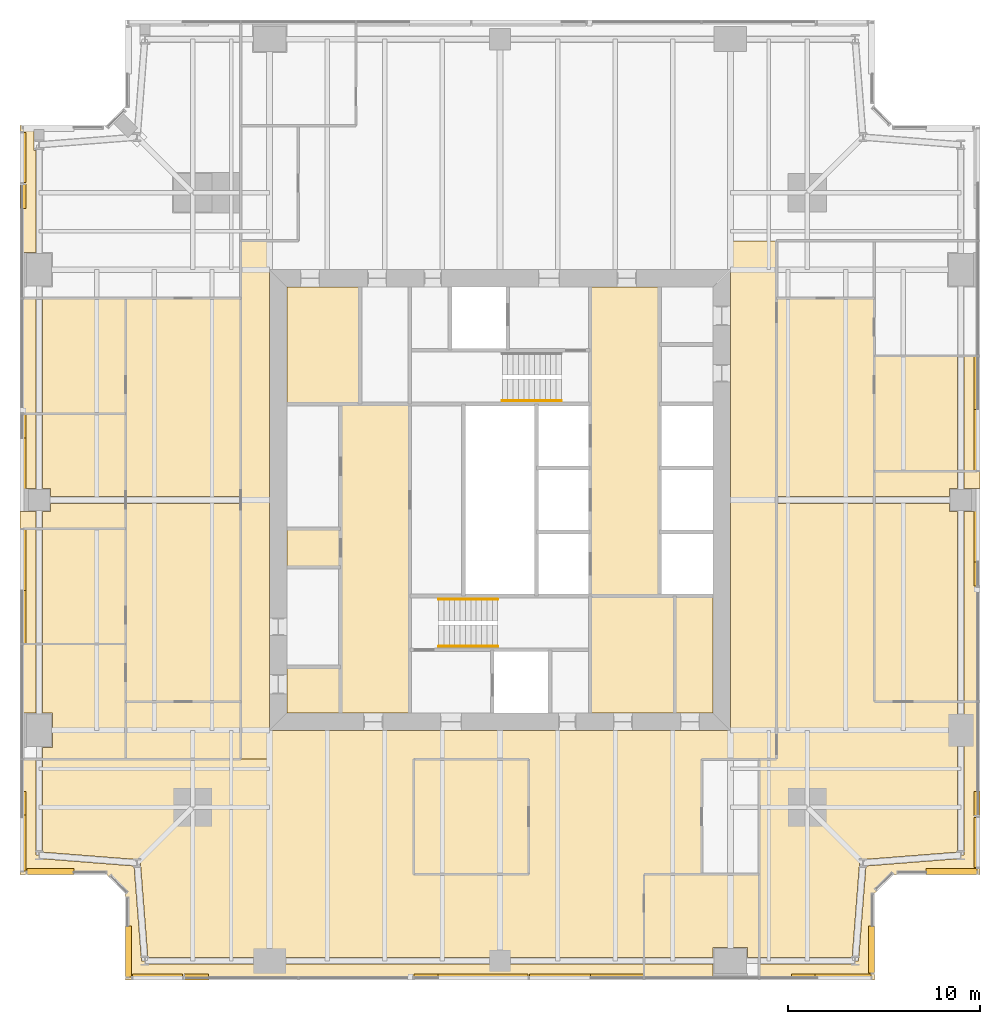
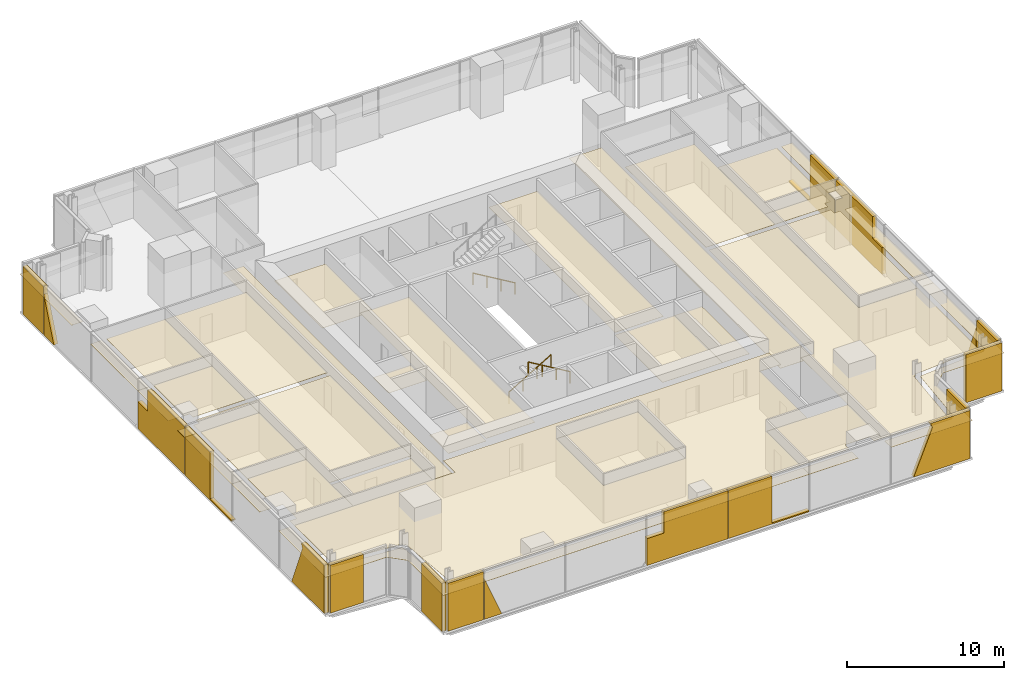
# One storey, part 12 of 16: 55 coverings, 3 railings.
"""IFC4 building model written with IfcOpenShell, lengths in metres."""

import ifcopenshell
import ifcopenshell.guid

model = None  # the IFC model being written
_history = None  # IfcOwnerHistory: only IFC2X3 demands one
_inside = {}  # id of a spatial element -> (the spatial element, [elements in it])
_under = {}  # id of a project, library or spatial element -> (it, [spatial elements below it])
_declared = {}  # id of a project -> (the project, [libraries it declares])
_typed = {}  # id of a type object -> (the type object, [elements of that type])
_made_of = {}  # id of a material, layer set ... -> (it, [elements and type objects made of it])


def new_model(schema):
    """Start an empty IFC model of exactly this schema.

    Asked for "IFC4X3", IfcOpenShell would pick the latest addendum, in which some entities
    have other attributes; the version numbers below select the first issue.
    IFC2X3 requires an IfcOwnerHistory on every rooted entity: one is made here for all.
    """
    global model, _history
    if schema == "IFC4X3":
        model = ifcopenshell.file(schema_version=(4, 3, 0, 0))
    else:
        model = ifcopenshell.file(schema=schema)
    _inside.clear()
    _under.clear()
    _declared.clear()
    _typed.clear()
    _made_of.clear()
    _history = None
    if model.schema == "IFC2X3":
        org = make("IfcOrganization", Name="unknown")
        user = make(
            "IfcPersonAndOrganization",
            ThePerson=make("IfcPerson", FamilyName="unknown"),
            TheOrganization=org,
        )
        app = make(
            "IfcApplication",
            ApplicationDeveloper=org,
            Version="unknown",
            ApplicationFullName="unknown",
            ApplicationIdentifier="unknown",
        )
        _history = make(
            "IfcOwnerHistory",
            OwningUser=user,
            OwningApplication=app,
            ChangeAction="ADDED",
            CreationDate=0,
        )
    return model


def make(cls, **values):
    """One entity of the class cls with the attributes given. An attribute that is None is left unset."""
    return model.create_entity(
        cls, **{name: value for name, value in values.items() if value is not None}
    )


def rooted(cls, **values):
    """An entity with a GlobalId (a new one), such as an element, a storey or a relation."""
    return make(cls, GlobalId=ifcopenshell.guid.new(), OwnerHistory=_history, **values)


def si_unit(unit_type, name, prefix=None):
    """IfcSIUnit, for example si_unit("LENGTHUNIT", "METRE", prefix="MILLI")."""
    return make("IfcSIUnit", UnitType=unit_type, Prefix=prefix, Name=name)


def assignment(units):
    """IfcUnitAssignment: the units of a project."""
    return None if units is None else make("IfcUnitAssignment", Units=units)


def point(xyz):
    """IfcCartesianPoint."""
    return None if xyz is None else make("IfcCartesianPoint", Coordinates=xyz)


def direction(xyz):
    """IfcDirection."""
    return None if xyz is None else make("IfcDirection", DirectionRatios=xyz)


def frame(location, z_axis=None, x_axis=None):
    """IfcAxis2Placement3D, a coordinate frame: its origin and axes. An axis left out is left unset."""
    return make(
        "IfcAxis2Placement3D",
        Location=point(location),
        Axis=direction(z_axis),
        RefDirection=direction(x_axis),
    )


def frame_2d(location, x_axis=None):
    """IfcAxis2Placement2D, a coordinate frame in the plane: its origin and x axis."""
    return make(
        "IfcAxis2Placement2D", Location=point(location), RefDirection=direction(x_axis)
    )


def origin():
    """The frame at (0, 0, 0) with its axes left unset."""
    return frame((0.0, 0.0, 0.0))


def origin_2d():
    """The frame at (0, 0) in the plane with its x axis left unset."""
    return frame_2d((0.0, 0.0))


def place(relative_to, where):
    """IfcLocalPlacement: puts the frame where relative to a parent placement (None: the world)."""
    return make(
        "IfcLocalPlacement", PlacementRelTo=relative_to, RelativePlacement=where
    )


def context(
    kind, dimensions, precision=None, world=None, true_north=None, identifier=None
):
    """IfcGeometricRepresentationContext, for example the 3D "Model" context."""
    return make(
        "IfcGeometricRepresentationContext",
        ContextIdentifier=identifier,
        ContextType=kind,
        CoordinateSpaceDimension=dimensions,
        Precision=precision,
        WorldCoordinateSystem=world,
        TrueNorth=true_north,
    )


def subcontext(parent, identifier, kind, view, scale=None):
    """IfcGeometricRepresentationSubContext, for example "Body" below "Model"."""
    return make(
        "IfcGeometricRepresentationSubContext",
        ContextIdentifier=identifier,
        ContextType=kind,
        ParentContext=parent,
        TargetScale=scale,
        TargetView=view,
    )


def project(units=None, contexts=None):
    """IfcProject with its units and contexts."""
    return rooted(
        "IfcProject",
        Name="project",
        RepresentationContexts=contexts,
        UnitsInContext=assignment(units),
    )


def spatial(cls, under=None, at=None, **own):
    """A site, building, storey or space (cls), placed at a placement, below another one or the project."""
    s = rooted(cls, ObjectPlacement=at, **own)
    if under is not None:
        _under.setdefault(under.id(), (under, []))[1].append(s)
    return s


def polyline(points):
    """IfcPolyline through the points."""
    return make("IfcPolyline", Points=[point(p) for p in points])


def profile(cls, at=None, kind="AREA", **sizes):
    """A parametric profile (cls). Its sizes go by their IFC names, for example OverallWidth=200.0."""
    return make(cls, ProfileType=kind, Position=at, **sizes)


def circle(**sizes):
    """IfcCircleProfileDef."""
    return profile("IfcCircleProfileDef", **sizes)


def outline(outer, holes=None, kind="AREA"):
    """IfcArbitraryClosedProfileDef: a profile drawn as a closed curve; with holes, ...WithVoids."""
    if holes is None:
        return make("IfcArbitraryClosedProfileDef", ProfileType=kind, OuterCurve=outer)
    return make(
        "IfcArbitraryProfileDefWithVoids",
        ProfileType=kind,
        OuterCurve=outer,
        InnerCurves=holes,
    )


def extrude(swept, where, along, depth):
    """IfcExtrudedAreaSolid: the profile swept, set in the frame where, extruded along a direction by depth."""
    return make(
        "IfcExtrudedAreaSolid",
        SweptArea=swept,
        Position=where,
        ExtrudedDirection=direction(along),
        Depth=depth,
    )


def shape(context_of_items, identifier, shape_type, items):
    """IfcShapeRepresentation: the items that make up one representation, for example the "Body"."""
    return make(
        "IfcShapeRepresentation",
        ContextOfItems=context_of_items,
        RepresentationIdentifier=identifier,
        RepresentationType=shape_type,
        Items=items,
    )


def material(Name=None, Category=None):
    """IfcMaterial."""
    return make("IfcMaterial", Name=Name, Category=Category)


def layer(
    of_material, thickness, ventilated=None, Name=None, Category=None, Priority=None
):
    """IfcMaterialLayer: one layer of a wall or slab, of a material (None: an air gap)."""
    return make(
        "IfcMaterialLayer",
        Material=of_material,
        LayerThickness=thickness,
        IsVentilated=ventilated,
        Name=Name,
        Category=Category,
        Priority=Priority,
    )


def layer_set(layers, Name=None):
    """IfcMaterialLayerSet."""
    return make("IfcMaterialLayerSet", MaterialLayers=layers, LayerSetName=Name)


def made_of(thing, what):
    """Note that an element or type object is made of a material, layer set ...; save() writes the relation."""
    if what is not None:
        _made_of.setdefault(what.id(), (what, []))[1].append(thing)
    return thing


def type_object(cls, material=None, **own):
    """A type object (cls), such as IfcWallType, which elements share."""
    return made_of(rooted(cls, **own), material)


def element(
    cls,
    number,
    at=None,
    inside=None,
    cuts=None,
    type_object=None,
    material=None,
    context=None,
    identifier="Body",
    shape_type=None,
    held_by="IfcProductDefinitionShape",
    body=None,
    shapes=None,
    **own,
):
    """One element of the class cls, such as IfcWall. Its Tag is "e" and its number.

    at: its placement. inside: the storey or other place that contains it. cuts: it is an
    opening in that element (IfcRelVoidsElement). A single representation is given by context,
    identifier, shape_type and body (its items); several are given by shapes. held_by: the class
    of the entity that holds the representations. save() writes the other relations.
    """
    e = rooted(cls, Tag="e%d" % number, ObjectPlacement=at, **own)
    if body is not None:
        shapes = [shape(context, identifier, shape_type, body)]
    if shapes is not None:
        e.Representation = make(held_by, Representations=shapes)
    if inside is not None:
        _inside.setdefault(inside.id(), (inside, []))[1].append(e)
    if cuts is not None:
        rooted(
            "IfcRelVoidsElement", RelatingBuildingElement=cuts, RelatedOpeningElement=e
        )
    if type_object is not None:
        _typed.setdefault(type_object.id(), (type_object, []))[1].append(e)
    return made_of(e, material)


def aggregate(whole, parts):
    """IfcRelAggregates: a whole, such as a stair, and the parts it consists of."""
    return rooted("IfcRelAggregates", RelatingObject=whole, RelatedObjects=parts)


def save(model, path):
    """Write the relations noted so far, then the file.

    IfcRelAggregates (storeys below a building ...), IfcRelContainedInSpatialStructure (elements
    in a storey), IfcRelDefinesByType, IfcRelAssociatesMaterial and IfcRelDeclares: one each for
    every whole, place, type object, material and project.
    """
    for whole, parts in _under.values():
        aggregate(whole, parts)
    for where, things in _inside.values():
        rooted(
            "IfcRelContainedInSpatialStructure",
            RelatedElements=things,
            RelatingStructure=where,
        )
    for kind, things in _typed.values():
        rooted("IfcRelDefinesByType", RelatedObjects=things, RelatingType=kind)
    for what, things in _made_of.values():
        rooted("IfcRelAssociatesMaterial", RelatedObjects=things, RelatingMaterial=what)
    for by, libraries in _declared.values():
        rooted("IfcRelDeclares", RelatingContext=by, RelatedDefinitions=libraries)
    model.write(path)


model = new_model("IFC4")

# Units and contexts
model_context = context("Model", 3, precision=1e-05, world=origin(), true_north=direction((0.0, 1.0)))
body_context = subcontext(model_context, "Body", "Model", "MODEL_VIEW")
ifc_project = project(units=[si_unit("LENGTHUNIT", "METRE"), si_unit("AREAUNIT", "SQUARE_METRE"), si_unit("VOLUMEUNIT", "CUBIC_METRE"), si_unit("PLANEANGLEUNIT", "RADIAN"), si_unit("MASSUNIT", "GRAM", prefix="KILO")], contexts=[model_context])

# Site, building, storey
site_placement = place(None, origin())
site = spatial("IfcSite", under=ifc_project, at=site_placement, CompositionType="ELEMENT")
building_placement = place(site_placement, origin())
building = spatial("IfcBuilding", under=site, at=building_placement, Name="Fenwick Lantern Interchange", CompositionType="ELEMENT")
storey_placement = place(building_placement, frame((0.0, 0.0, 213.800048828125)))
storey = spatial("IfcBuildingStorey", under=building, at=storey_placement, Name="L50", CompositionType="ELEMENT", Elevation=213.800048828125)

# Coverings
ifc_material_1 = material(Name="Mineral fibre acoustic tile on suspended grid")
ifc_layer_1 = layer(ifc_material_1, 0.02001953125)
ifc_layer_set_1 = layer_set([ifc_layer_1], Name="ACOUSTIC TILE CEILING 20")
covering_type_1 = type_object("IfcCoveringType", Name="ACOUSTIC TILE CEILING 20", PredefinedType="CEILING", material=ifc_layer_set_1)
covering_1_placement = place(storey_placement, frame((0.0, 0.0, 2.89990234375)))
element("IfcCovering", 1, at=covering_1_placement, inside=storey, type_object=covering_type_1, Name="Open office ceiling", PredefinedType="CEILING", context=body_context, shape_type="SweptSolid", body=[
    extrude(outline(polyline([(32.5, 5.5), (35.5, 5.5), (35.5, 11.5), (37.0, 11.5), (37.0, 13.0), (13.0, 13.0), (13.0, 11.5), (1.17236328125, 11.5), (1.17236328125, 6.659423828125), (6.113525390625, 6.27197265625), (6.10009765625, 6.10009765625), (6.27197265625, 6.113525390625), (6.659423828125, 1.17236328125), (13.0, 1.17236328125), (25.0, 1.17236328125), (32.5, 1.17236328125), (32.5, 5.5)]), holes=[polyline([(20.5, 11.5), (26.5, 11.5), (26.5, 5.5), (20.5, 5.5), (20.5, 11.5)])]), origin(), (0.0, 0.0, 1.0), 0.02001953125),
])
covering_2_placement = place(storey_placement, frame((0.0, 0.0, 2.89990234375)))
element("IfcCovering", 2, at=covering_2_placement, inside=storey, type_object=covering_type_1, Name="Open office ceiling", PredefinedType="CEILING", context=body_context, shape_type="SweptSolid", body=[
    extrude(outline(polyline([(32.5, 0.0), (32.5, 0.82763671875), (25.0, 0.82763671875), (13.0, 0.82763671875), (6.5, 0.82763671875), (6.5, 1.0), (6.328125, 0.986572265625), (5.939697265625, 5.939697265625), (0.986572265625, 6.328125), (1.0, 6.5), (0.82763671875, 6.5), (0.82763671875, 11.5), (0.0, 11.5), (0.0, 5.5), (4.5, 5.5), (5.5, 4.5), (5.5, 0.0), (32.5, 0.0)])), origin(), (0.0, 0.0, 1.0), 0.02001953125),
])
covering_3_placement = place(storey_placement, frame((0.0, 0.0, 2.89990234375)))
element("IfcCovering", 3, at=covering_3_placement, inside=storey, type_object=covering_type_1, Name="Meeting room ceiling", PredefinedType="CEILING", context=body_context, shape_type="SweptSolid", body=[
    extrude(outline(polyline([(20.5, 5.5), (26.5, 5.5), (26.5, 11.5), (20.5, 11.5), (20.5, 5.5)])), origin(), (0.0, 0.0, 1.0), 0.02001953125),
])
covering_4_placement = place(storey_placement, frame((0.0, 0.0, 2.89990234375)))
element("IfcCovering", 4, at=covering_4_placement, inside=storey, type_object=covering_type_1, Name="Office ceiling", PredefinedType="CEILING", context=body_context, shape_type="SweptSolid", body=[
    extrude(outline(polyline([(32.5, 5.5), (32.5, 1.17236328125), (36.10009765625, 1.17236328125), (36.10009765625, 1.699951171875), (37.89990234375, 1.699951171875), (37.89990234375, 1.17236328125), (38.5, 1.17236328125), (38.5, 5.5), (32.5, 5.5)])), origin(), (0.0, 0.0, 1.0), 0.02001953125),
])
covering_5_placement = place(storey_placement, frame((0.0, 0.0, 2.89990234375)))
element("IfcCovering", 5, at=covering_5_placement, inside=storey, type_object=covering_type_1, Name="Office ceiling", PredefinedType="CEILING", context=body_context, shape_type="SweptSolid", body=[
    extrude(outline(polyline([(32.5, 0.82763671875), (32.5, 0.0), (36.10009765625, 0.0), (36.10009765625, 0.82763671875), (32.5, 0.82763671875)])), origin(), (0.0, 0.0, 1.0), 0.02001953125),
])
covering_6_placement = place(storey_placement, frame((0.0, 0.0, 2.89990234375)))
element("IfcCovering", 6, at=covering_6_placement, inside=storey, type_object=covering_type_1, Name="Board meeting room ceiling", PredefinedType="CEILING", context=body_context, shape_type="SweptSolid", body=[
    extrude(outline(polyline([(44.5, 24.824951171875), (44.5, 14.5), (48.82763671875, 14.5), (48.82763671875, 24.39990234375), (48.39990234375, 24.39990234375), (48.39990234375, 24.824951171875), (44.5, 24.824951171875)])), origin(), (0.0, 0.0, 1.0), 0.02001953125),
])
covering_7_placement = place(storey_placement, frame((0.0, 0.0, 2.89990234375)))
element("IfcCovering", 7, at=covering_7_placement, inside=storey, type_object=covering_type_1, Name="Board meeting room ceiling", PredefinedType="CEILING", context=body_context, shape_type="SweptSolid", body=[
    extrude(outline(polyline([(50.0, 24.39990234375), (49.17236328125, 24.39990234375), (49.17236328125, 14.5), (50.0, 14.5), (50.0, 24.39990234375)])), origin(), (0.0, 0.0, 1.0), 0.02001953125),
])
covering_8_placement = place(storey_placement, frame((0.0, 0.0, 2.89990234375)))
element("IfcCovering", 8, at=covering_8_placement, inside=storey, type_object=covering_type_1, Name="Board meeting room ceiling", PredefinedType="CEILING", context=body_context, shape_type="SweptSolid", body=[
    extrude(outline(polyline([(44.5, 26.5), (44.5, 25.175048828125), (48.39990234375, 25.175048828125), (48.39990234375, 25.60009765625), (48.82763671875, 25.60009765625), (48.82763671875, 26.5), (44.5, 26.5)])), origin(), (0.0, 0.0, 1.0), 0.02001953125),
])
covering_9_placement = place(storey_placement, frame((0.0, 0.0, 2.89990234375)))
element("IfcCovering", 9, at=covering_9_placement, inside=storey, type_object=covering_type_1, Name="Board meeting room ceiling", PredefinedType="CEILING", context=body_context, shape_type="SweptSolid", body=[
    extrude(outline(polyline([(50.0, 26.5), (49.17236328125, 26.5), (49.17236328125, 25.60009765625), (50.0, 25.60009765625), (50.0, 26.5)])), origin(), (0.0, 0.0, 1.0), 0.02001953125),
])
covering_10_placement = place(storey_placement, frame((0.0, 0.0, 2.89990234375)))
element("IfcCovering", 10, at=covering_10_placement, inside=storey, type_object=covering_type_1, Name="Office ceiling", PredefinedType="CEILING", context=body_context, shape_type="SweptSolid", body=[
    extrude(outline(polyline([(44.5, 26.5), (48.82763671875, 26.5), (48.82763671875, 32.5), (44.5, 32.5), (44.5, 26.5)])), origin(), (0.0, 0.0, 1.0), 0.02001953125),
])
covering_11_placement = place(storey_placement, frame((0.0, 0.0, 2.89990234375)))
element("IfcCovering", 11, at=covering_11_placement, inside=storey, type_object=covering_type_1, Name="Office ceiling", PredefinedType="CEILING", context=body_context, shape_type="SweptSolid", body=[
    extrude(outline(polyline([(50.0, 32.5), (49.17236328125, 32.5), (49.17236328125, 26.5), (50.0, 26.5), (50.0, 32.5)])), origin(), (0.0, 0.0, 1.0), 0.02001953125),
])
covering_12_placement = place(storey_placement, frame((0.0, 0.0, 2.89990234375)))
element("IfcCovering", 12, at=covering_12_placement, inside=storey, type_object=covering_type_1, Name="Open office ceiling", PredefinedType="CEILING", context=body_context, shape_type="SweptSolid", body=[
    extrude(outline(polyline([(11.5, 14.5), (11.5, 24.824951171875), (5.5, 24.824951171875), (5.5, 14.5), (11.5, 14.5)])), origin(), (0.0, 0.0, 1.0), 0.02001953125),
])
covering_13_placement = place(storey_placement, frame((0.0, 0.0, 2.89990234375)))
element("IfcCovering", 13, at=covering_13_placement, inside=storey, type_object=covering_type_1, Name="Open office ceiling", PredefinedType="CEILING", context=body_context, shape_type="SweptSolid", body=[
    extrude(outline(polyline([(11.5, 25.175048828125), (11.5, 35.5), (5.5, 35.5), (5.5, 25.175048828125), (11.5, 25.175048828125)])), origin(), (0.0, 0.0, 1.0), 0.02001953125),
])
covering_14_placement = place(storey_placement, frame((0.0, 0.0, 2.89990234375)))
element("IfcCovering", 14, at=covering_14_placement, inside=storey, type_object=covering_type_1, Name="Office ceiling", PredefinedType="CEILING", context=body_context, shape_type="SweptSolid", body=[
    extrude(outline(polyline([(0.0, 37.89990234375), (0.82763671875, 37.89990234375), (0.82763671875, 43.21240234375), (0.73779296875, 43.21240234375), (0.73779296875, 44.5), (0.0, 44.5), (0.0, 37.89990234375)])), origin(), (0.0, 0.0, 1.0), 0.02001953125),
])
covering_15_placement = place(storey_placement, frame((0.0, 0.0, 2.89990234375)))
element("IfcCovering", 15, at=covering_15_placement, inside=storey, type_object=covering_type_1, Name="Office ceiling", PredefinedType="CEILING", context=body_context, shape_type="SweptSolid", body=[
    extrude(outline(polyline([(5.5, 35.5), (1.17236328125, 35.5), (1.17236328125, 29.5), (5.5, 29.5), (5.5, 35.5)])), origin(), (0.0, 0.0, 1.0), 0.02001953125),
])
covering_16_placement = place(storey_placement, frame((0.0, 0.0, 2.89990234375)))
element("IfcCovering", 16, at=covering_16_placement, inside=storey, type_object=covering_type_1, Name="Office ceiling", PredefinedType="CEILING", context=body_context, shape_type="SweptSolid", body=[
    extrude(outline(polyline([(0.0, 29.5), (0.82763671875, 29.5), (0.82763671875, 35.5), (0.0, 35.5), (0.0, 29.5)])), origin(), (0.0, 0.0, 1.0), 0.02001953125),
])
covering_17_placement = place(storey_placement, frame((0.0, 0.0, 2.89990234375)))
element("IfcCovering", 17, at=covering_17_placement, inside=storey, type_object=covering_type_1, Name="Office ceiling", PredefinedType="CEILING", context=body_context, shape_type="SweptSolid", body=[
    extrude(outline(polyline([(5.5, 29.5), (1.17236328125, 29.5), (1.17236328125, 25.60009765625), (1.60009765625, 25.60009765625), (1.60009765625, 25.175048828125), (5.5, 25.175048828125), (5.5, 29.5)])), origin(), (0.0, 0.0, 1.0), 0.02001953125),
])
covering_18_placement = place(storey_placement, frame((0.0, 0.0, 2.89990234375)))
element("IfcCovering", 18, at=covering_18_placement, inside=storey, type_object=covering_type_1, Name="Office ceiling", PredefinedType="CEILING", context=body_context, shape_type="SweptSolid", body=[
    extrude(outline(polyline([(5.5, 23.5), (5.5, 24.824951171875), (1.60009765625, 24.824951171875), (1.60009765625, 24.39990234375), (1.17236328125, 24.39990234375), (1.17236328125, 23.5), (5.5, 23.5)])), origin(), (0.0, 0.0, 1.0), 0.02001953125),
])
covering_19_placement = place(storey_placement, frame((0.0, 0.0, 2.89990234375)))
element("IfcCovering", 19, at=covering_19_placement, inside=storey, type_object=covering_type_1, Name="Office ceiling", PredefinedType="CEILING", context=body_context, shape_type="SweptSolid", body=[
    extrude(outline(polyline([(0.82763671875, 29.5), (0.0, 29.5), (0.0, 25.60009765625), (0.82763671875, 25.60009765625), (0.82763671875, 29.5)])), origin(), (0.0, 0.0, 1.0), 0.02001953125),
])
covering_20_placement = place(storey_placement, frame((0.0, 0.0, 2.89990234375)))
element("IfcCovering", 20, at=covering_20_placement, inside=storey, type_object=covering_type_1, Name="Office ceiling", PredefinedType="CEILING", context=body_context, shape_type="SweptSolid", body=[
    extrude(outline(polyline([(0.0, 23.5), (0.82763671875, 23.5), (0.82763671875, 24.39990234375), (0.0, 24.39990234375), (0.0, 23.5)])), origin(), (0.0, 0.0, 1.0), 0.02001953125),
])
covering_21_placement = place(storey_placement, frame((0.0, 0.0, 2.89990234375)))
element("IfcCovering", 21, at=covering_21_placement, inside=storey, type_object=covering_type_1, Name="Office ceiling", PredefinedType="CEILING", context=body_context, shape_type="SweptSolid", body=[
    extrude(outline(polyline([(5.5, 23.5), (1.17236328125, 23.5), (1.17236328125, 17.5), (5.5, 17.5), (5.5, 23.5)])), origin(), (0.0, 0.0, 1.0), 0.02001953125),
])
covering_22_placement = place(storey_placement, frame((0.0, 0.0, 2.89990234375)))
element("IfcCovering", 22, at=covering_22_placement, inside=storey, type_object=covering_type_1, Name="Office ceiling", PredefinedType="CEILING", context=body_context, shape_type="SweptSolid", body=[
    extrude(outline(polyline([(0.0, 17.5), (0.82763671875, 17.5), (0.82763671875, 23.5), (0.0, 23.5), (0.0, 17.5)])), origin(), (0.0, 0.0, 1.0), 0.02001953125),
])
covering_23_placement = place(storey_placement, frame((0.0, 0.0, 2.89990234375)))
element("IfcCovering", 23, at=covering_23_placement, inside=storey, type_object=covering_type_1, Name="Office ceiling", PredefinedType="CEILING", context=body_context, shape_type="SweptSolid", body=[
    extrude(outline(polyline([(5.5, 17.5), (1.17236328125, 17.5), (1.17236328125, 13.89990234375), (1.699951171875, 13.89990234375), (1.699951171875, 12.10009765625), (1.17236328125, 12.10009765625), (1.17236328125, 11.5), (5.5, 11.5), (5.5, 17.5)])), origin(), (0.0, 0.0, 1.0), 0.02001953125),
])
covering_24_placement = place(storey_placement, frame((0.0, 0.0, 2.89990234375)))
element("IfcCovering", 24, at=covering_24_placement, inside=storey, type_object=covering_type_1, Name="Office ceiling", PredefinedType="CEILING", context=body_context, shape_type="SweptSolid", body=[
    extrude(outline(polyline([(0.82763671875, 17.5), (0.0, 17.5), (0.0, 13.89990234375), (0.82763671875, 13.89990234375), (0.82763671875, 17.5)])), origin(), (0.0, 0.0, 1.0), 0.02001953125),
])
ifc_material_2 = material(Name="Granite cladding, warm grey flamed finish, on aluminium carrier frame", Category="masonry")
ifc_layer_2 = layer(ifc_material_2, 0.300048828125)
ifc_layer_set_2 = layer_set([ifc_layer_2], Name="BRACE CASING PANEL 300")
covering_type_2 = type_object("IfcCoveringType", Name="BRACE CASING PANEL 300", PredefinedType="CLADDING", material=ifc_layer_set_2)
covering_25_placement = place(storey_placement, frame((5.60009765625, 0.10009765625, 0.0), z_axis=(0.0, 0.0, 1.0), x_axis=(1.0, 0.0, 0.0)))
element("IfcCovering", 25, at=covering_25_placement, inside=storey, type_object=covering_type_2, Name="Brace casing 01 bay 00a", PredefinedType="CLADDING", context=body_context, shape_type="SweptSolid", body=[
    extrude(outline(polyline([(0.264892578125, 0.0), (2.867431640625, 0.0), (2.867431640625, 3.75), (0.264892578125, 3.75), (0.264892578125, 0.0)])), frame((0.0, 0.2001953125, 0.0), z_axis=(0.0, -1.0, 0.0), x_axis=(1.0, 0.0, 0.0)), (0.0, 0.0, 1.0), 0.300048828125),
])
covering_26_placement = place(storey_placement, frame((5.60009765625, 0.10009765625, 0.0), z_axis=(0.0, 0.0, 1.0), x_axis=(1.0, 0.0, 0.0)))
element("IfcCovering", 26, at=covering_26_placement, inside=storey, type_object=covering_type_2, Name="Brace casing 01 bay 01a", PredefinedType="CLADDING", context=body_context, shape_type="SweptSolid", body=[
    extrude(outline(polyline([(2.9326171875, 0.0), (4.2216796875, 0.0), (2.9326171875, 3.17333984375), (2.9326171875, 0.0)])), frame((0.0, 0.2001953125, 0.0), z_axis=(0.0, -1.0, 0.0), x_axis=(1.0, 0.0, 0.0)), (0.0, 0.0, 1.0), 0.300048828125),
])
covering_27_placement = place(storey_placement, frame((5.60009765625, 0.10009765625, 0.0), z_axis=(0.0, 0.0, 1.0), x_axis=(1.0, 0.0, 0.0)))
element("IfcCovering", 27, at=covering_27_placement, inside=storey, type_object=covering_type_2, Name="Brace casing 01 bay 03a", PredefinedType="CLADDING", context=body_context, shape_type="SweptSolid", body=[
    extrude(outline(polyline([(14.9326171875, 0.0), (20.867431640625, 0.0), (20.867431640625, 3.75), (16.172607421875, 3.75), (16.172607421875, 2.090576171875), (14.9326171875, 2.090576171875), (14.9326171875, 0.0)])), frame((0.0, 0.2001953125, 0.0), z_axis=(0.0, -1.0, 0.0), x_axis=(1.0, 0.0, 0.0)), (0.0, 0.0, 1.0), 0.300048828125),
])
covering_28_placement = place(storey_placement, frame((5.60009765625, 0.10009765625, 0.0), z_axis=(0.0, 0.0, 1.0), x_axis=(1.0, 0.0, 0.0)))
element("IfcCovering", 28, at=covering_28_placement, inside=storey, type_object=covering_type_2, Name="Brace casing 01 bay 04a", PredefinedType="CLADDING", context=body_context, shape_type="SweptSolid", body=[
    extrude(outline(polyline([(20.9326171875, 0.0), (26.867431640625, 0.0), (26.867431640625, 0.0927734375), (24.1259765625, 0.0927734375), (24.1259765625, 3.75), (20.9326171875, 3.75), (20.9326171875, 0.0)])), frame((0.0, 0.2001953125, 0.0), z_axis=(0.0, -1.0, 0.0), x_axis=(1.0, 0.0, 0.0)), (0.0, 0.0, 1.0), 0.300048828125),
])
covering_29_placement = place(storey_placement, frame((5.60009765625, 0.10009765625, 0.0), z_axis=(0.0, 0.0, 1.0), x_axis=(1.0, 0.0, 0.0)))
element("IfcCovering", 29, at=covering_29_placement, inside=storey, type_object=covering_type_2, Name="Brace casing 01 bay 06a", PredefinedType="CLADDING", context=body_context, shape_type="SweptSolid", body=[
    extrude(outline(polyline([(34.578369140625, 0.0), (38.735107421875, 0.0), (38.735107421875, 3.75), (35.8095703125, 3.75), (35.9560546875, 3.3916015625), (34.578369140625, 0.0)])), frame((0.0, 0.2001953125, 0.0), z_axis=(0.0, -1.0, 0.0), x_axis=(1.0, 0.0, 0.0)), (0.0, 0.0, 1.0), 0.300048828125),
])
covering_30_placement = place(storey_placement, frame((44.39990234375, 0.10009765625, 0.0), z_axis=(0.0, 0.0, 1.0), x_axis=(0.0, 1.0, 0.0)))
element("IfcCovering", 30, at=covering_30_placement, inside=storey, type_object=covering_type_2, Name="Brace casing 02 bay 00a", PredefinedType="CLADDING", context=body_context, shape_type="SweptSolid", body=[
    extrude(outline(polyline([(0.264892578125, 0.0), (2.699951171875, 0.0), (2.699951171875, 3.75), (0.264892578125, 3.75), (0.264892578125, 0.0)])), frame((0.0, 0.2001953125, 0.0), z_axis=(0.0, -1.0, 0.0), x_axis=(1.0, 0.0, 0.0)), (0.0, 0.0, 1.0), 0.300048828125),
])
covering_31_placement = place(storey_placement, frame((45.45849609375, 5.60009765625, 0.0), z_axis=(0.0, 0.0, 1.0), x_axis=(1.0, 0.0, 0.0)))
element("IfcCovering", 31, at=covering_31_placement, inside=storey, type_object=covering_type_2, Name="Brace casing 04 bay 00a", PredefinedType="CLADDING", context=body_context, shape_type="SweptSolid", body=[
    extrude(outline(polyline([(1.741455078125, 0.0), (4.37646484375, 0.0), (4.37646484375, 3.75), (1.741455078125, 3.75), (1.741455078125, 0.0)])), frame((0.0, 0.2001953125, 0.0), z_axis=(0.0, -1.0, 0.0), x_axis=(1.0, 0.0, 0.0)), (0.0, 0.0, 1.0), 0.300048828125),
])
covering_32_placement = place(storey_placement, frame((49.89990234375, 5.60009765625, 0.0), z_axis=(0.0, 0.0, 1.0), x_axis=(0.0, 1.0, 0.0)))
element("IfcCovering", 32, at=covering_32_placement, inside=storey, type_object=covering_type_2, Name="Brace casing 05 bay 00a", PredefinedType="CLADDING", context=body_context, shape_type="SweptSolid", body=[
    extrude(outline(polyline([(0.264892578125, 0.0), (2.867431640625, 0.0), (2.867431640625, 3.75), (0.264892578125, 3.75), (0.264892578125, 0.0)])), frame((0.0, 0.2001953125, 0.0), z_axis=(0.0, -1.0, 0.0), x_axis=(1.0, 0.0, 0.0)), (0.0, 0.0, 1.0), 0.300048828125),
])
covering_33_placement = place(storey_placement, frame((49.89990234375, 5.60009765625, 0.0), z_axis=(0.0, 0.0, 1.0), x_axis=(0.0, 1.0, 0.0)))
element("IfcCovering", 33, at=covering_33_placement, inside=storey, type_object=covering_type_2, Name="Brace casing 05 bay 01a", PredefinedType="CLADDING", context=body_context, shape_type="SweptSolid", body=[
    extrude(outline(polyline([(2.9326171875, 0.0), (4.2216796875, 0.0), (2.9326171875, 3.17333984375), (2.9326171875, 0.0)])), frame((0.0, 0.2001953125, 0.0), z_axis=(0.0, -1.0, 0.0), x_axis=(1.0, 0.0, 0.0)), (0.0, 0.0, 1.0), 0.300048828125),
])
covering_34_placement = place(storey_placement, frame((49.89990234375, 5.60009765625, 0.0), z_axis=(0.0, 0.0, 1.0), x_axis=(0.0, 1.0, 0.0)))
element("IfcCovering", 34, at=covering_34_placement, inside=storey, type_object=covering_type_2, Name="Brace casing 05 bay 03a", PredefinedType="CLADDING", context=body_context, shape_type="SweptSolid", body=[
    extrude(outline(polyline([(14.9326171875, 0.0), (20.867431640625, 0.0), (20.867431640625, 3.75), (16.172607421875, 3.75), (16.172607421875, 2.090576171875), (14.9326171875, 2.090576171875), (14.9326171875, 0.0)])), frame((0.0, 0.2001953125, 0.0), z_axis=(0.0, -1.0, 0.0), x_axis=(1.0, 0.0, 0.0)), (0.0, 0.0, 1.0), 0.300048828125),
])
covering_35_placement = place(storey_placement, frame((49.89990234375, 5.60009765625, 0.0), z_axis=(0.0, 0.0, 1.0), x_axis=(0.0, 1.0, 0.0)))
element("IfcCovering", 35, at=covering_35_placement, inside=storey, type_object=covering_type_2, Name="Brace casing 05 bay 04a", PredefinedType="CLADDING", context=body_context, shape_type="SweptSolid", body=[
    extrude(outline(polyline([(20.9326171875, 0.0), (26.867431640625, 0.0), (26.867431640625, 0.0927734375), (24.1259765625, 0.0927734375), (24.1259765625, 3.75), (20.9326171875, 3.75), (20.9326171875, 0.0)])), frame((0.0, 0.2001953125, 0.0), z_axis=(0.0, -1.0, 0.0), x_axis=(1.0, 0.0, 0.0)), (0.0, 0.0, 1.0), 0.300048828125),
])
covering_36_placement = place(storey_placement, frame((0.10009765625, 44.39990234375, 0.0), z_axis=(0.0, 0.0, 1.0), x_axis=(0.0, -1.0, 0.0)))
element("IfcCovering", 36, at=covering_36_placement, inside=storey, type_object=covering_type_2, Name="Brace casing 13 bay 00a", PredefinedType="CLADDING", context=body_context, shape_type="SweptSolid", body=[
    extrude(outline(polyline([(0.264892578125, 0.0), (2.867431640625, 0.0), (2.867431640625, 3.75), (0.264892578125, 3.75), (0.264892578125, 0.0)])), frame((0.0, 0.2001953125, 0.0), z_axis=(0.0, -1.0, 0.0), x_axis=(1.0, 0.0, 0.0)), (0.0, 0.0, 1.0), 0.300048828125),
])
covering_37_placement = place(storey_placement, frame((0.10009765625, 44.39990234375, 0.0), z_axis=(0.0, 0.0, 1.0), x_axis=(0.0, -1.0, 0.0)))
element("IfcCovering", 37, at=covering_37_placement, inside=storey, type_object=covering_type_2, Name="Brace casing 13 bay 01a", PredefinedType="CLADDING", context=body_context, shape_type="SweptSolid", body=[
    extrude(outline(polyline([(2.9326171875, 0.0), (4.2216796875, 0.0), (2.9326171875, 3.17333984375), (2.9326171875, 0.0)])), frame((0.0, 0.2001953125, 0.0), z_axis=(0.0, -1.0, 0.0), x_axis=(1.0, 0.0, 0.0)), (0.0, 0.0, 1.0), 0.300048828125),
])
covering_38_placement = place(storey_placement, frame((0.10009765625, 44.39990234375, 0.0), z_axis=(0.0, 0.0, 1.0), x_axis=(0.0, -1.0, 0.0)))
element("IfcCovering", 38, at=covering_38_placement, inside=storey, type_object=covering_type_2, Name="Brace casing 13 bay 03a", PredefinedType="CLADDING", context=body_context, shape_type="SweptSolid", body=[
    extrude(outline(polyline([(14.9326171875, 0.0), (20.867431640625, 0.0), (20.867431640625, 3.75), (16.172607421875, 3.75), (16.172607421875, 2.090576171875), (14.9326171875, 2.090576171875), (14.9326171875, 0.0)])), frame((0.0, 0.2001953125, 0.0), z_axis=(0.0, -1.0, 0.0), x_axis=(1.0, 0.0, 0.0)), (0.0, 0.0, 1.0), 0.300048828125),
])
covering_39_placement = place(storey_placement, frame((0.10009765625, 44.39990234375, 0.0), z_axis=(0.0, 0.0, 1.0), x_axis=(0.0, -1.0, 0.0)))
element("IfcCovering", 39, at=covering_39_placement, inside=storey, type_object=covering_type_2, Name="Brace casing 13 bay 04a", PredefinedType="CLADDING", context=body_context, shape_type="SweptSolid", body=[
    extrude(outline(polyline([(20.9326171875, 0.0), (26.867431640625, 0.0), (26.867431640625, 0.0927734375), (24.1259765625, 0.0927734375), (24.1259765625, 3.75), (20.9326171875, 3.75), (20.9326171875, 0.0)])), frame((0.0, 0.2001953125, 0.0), z_axis=(0.0, -1.0, 0.0), x_axis=(1.0, 0.0, 0.0)), (0.0, 0.0, 1.0), 0.300048828125),
])
covering_40_placement = place(storey_placement, frame((0.10009765625, 44.39990234375, 0.0), z_axis=(0.0, 0.0, 1.0), x_axis=(0.0, -1.0, 0.0)))
element("IfcCovering", 40, at=covering_40_placement, inside=storey, type_object=covering_type_2, Name="Brace casing 13 bay 06a", PredefinedType="CLADDING", context=body_context, shape_type="SweptSolid", body=[
    extrude(outline(polyline([(34.578369140625, 0.0), (38.735107421875, 0.0), (38.735107421875, 3.75), (35.8095703125, 3.75), (35.9560546875, 3.3916015625), (34.578369140625, 0.0)])), frame((0.0, 0.2001953125, 0.0), z_axis=(0.0, -1.0, 0.0), x_axis=(1.0, 0.0, 0.0)), (0.0, 0.0, 1.0), 0.300048828125),
])
covering_41_placement = place(storey_placement, frame((0.10009765625, 5.60009765625, 0.0), z_axis=(0.0, 0.0, 1.0), x_axis=(1.0, 0.0, 0.0)))
element("IfcCovering", 41, at=covering_41_placement, inside=storey, type_object=covering_type_2, Name="Brace casing 14 bay 00a", PredefinedType="CLADDING", context=body_context, shape_type="SweptSolid", body=[
    extrude(outline(polyline([(0.264892578125, 0.0), (2.699951171875, 0.0), (2.699951171875, 3.75), (0.264892578125, 3.75), (0.264892578125, 0.0)])), frame((0.0, 0.2001953125, 0.0), z_axis=(0.0, -1.0, 0.0), x_axis=(1.0, 0.0, 0.0)), (0.0, 0.0, 1.0), 0.300048828125),
])
covering_42_placement = place(storey_placement, frame((5.60009765625, 4.54150390625, 0.0), z_axis=(0.0, 0.0, 1.0), x_axis=(0.0, -1.0, 0.0)))
element("IfcCovering", 42, at=covering_42_placement, inside=storey, type_object=covering_type_2, Name="Brace casing 16 bay 00a", PredefinedType="CLADDING", context=body_context, shape_type="SweptSolid", body=[
    extrude(outline(polyline([(1.741455078125, 0.0), (4.37646484375, 0.0), (4.37646484375, 3.75), (1.741455078125, 3.75), (1.741455078125, 0.0)])), frame((0.0, 0.2001953125, 0.0), z_axis=(0.0, -1.0, 0.0), x_axis=(1.0, 0.0, 0.0)), (0.0, 0.0, 1.0), 0.300048828125),
])

# Railings
ifc_material_3 = material(Name="Stainless steel handrail", Category="steel")
railing_type = type_object("IfcRailingType", Name="HANDRAIL 900", PredefinedType="HANDRAIL", material=ifc_material_3)
railing_placement = place(storey_placement, frame((21.800048828125, 19.825927734375, 0.16650390625)))
element("IfcRailing", 43, at=railing_placement, inside=storey, type_object=railing_type, Name="L50/STAIR/ST1/HR1", PredefinedType="HANDRAIL", context=body_context, shape_type="SweptSolid", body=[
    extrude(circle(Radius=0.02392578125, at=origin_2d()), frame((0.0, 0.0, 0.8759765625), z_axis=(0.859260807169, 0.0, 0.511537745687), x_axis=(0.0, 1.0, 0.0)), (0.0, 0.0, 1.0), 3.584228515625),
    extrude(circle(Radius=0.02099609375, at=origin_2d()), origin(), (0.0, 0.0, 1.0), 0.851806640625),
    extrude(circle(Radius=0.02099609375, at=origin_2d()), frame((1.026611328125, 0.0, 0.611083984375)), (0.0, 0.0, 1.0), 0.851806640625),
    extrude(circle(Radius=0.02099609375, at=origin_2d()), frame((2.05322265625, 0.0, 1.222412109375)), (0.0, 0.0, 1.0), 0.851806640625),
    extrude(circle(Radius=0.02099609375, at=origin_2d()), frame((3.079833984375, 0.0, 1.83349609375)), (0.0, 0.0, 1.0), 0.851806640625),
])
for number, where, name in (
    (44, (24.8798828125, 17.3740234375, 2.16650390625), "L50/STAIR/ST1/HR2"),
    (45, (28.199951171875, 30.174072265625, 0.16650390625), "L50/STAIR/ST2/HR1"),
):
    element("IfcRailing", number, at=place(storey_placement, frame(where)), inside=storey, type_object=railing_type, Name=name, PredefinedType="HANDRAIL", context=body_context, shape_type="SweptSolid", body=[
        extrude(circle(Radius=0.02392578125, at=origin_2d()), frame((0.0, 0.0, 0.8759765625), z_axis=(-0.859260807169, 0.0, 0.511537745687), x_axis=(0.0, -1.0, 0.0)), (0.0, 0.0, 1.0), 3.584228515625),
        extrude(circle(Radius=0.02099609375, at=origin_2d()), origin(), (0.0, 0.0, 1.0), 0.851806640625),
        extrude(circle(Radius=0.02099609375, at=origin_2d()), frame((-1.026611328125, 0.0, 0.611083984375)), (0.0, 0.0, 1.0), 0.851806640625),
        extrude(circle(Radius=0.02099609375, at=origin_2d()), frame((-2.05322265625, 0.0, 1.222412109375)), (0.0, 0.0, 1.0), 0.851806640625),
        extrude(circle(Radius=0.02099609375, at=origin_2d()), frame((-3.079833984375, 0.0, 1.83349609375)), (0.0, 0.0, 1.0), 0.851806640625),
    ])

# Coverings
ifc_material_4 = material(Name="Moisture resistant gypsum board on suspended frame, painted")
ifc_layer_3 = layer(ifc_material_4, 0.014892578125)
ifc_layer_set_3 = layer_set([ifc_layer_3], Name="MOISTURE RESISTANT CEILING 15")
covering_type_3 = type_object("IfcCoveringType", Name="MOISTURE RESISTANT CEILING 15", PredefinedType="CEILING", material=ifc_layer_set_3)
covering_43_placement = place(storey_placement, frame((0.0, 0.0, 2.599853515625)))
element("IfcCovering", 46, at=covering_43_placement, inside=storey, type_object=covering_type_3, Name="Women's WC ceiling", PredefinedType="CEILING", context=body_context, shape_type="SweptSolid", body=[
    extrude(outline(polyline([(29.699951171875, 13.89990234375), (34.10009765625, 13.89990234375), (34.10009765625, 20.0), (29.699951171875, 20.0), (29.699951171875, 13.89990234375)])), origin(), (0.0, 0.0, 1.0), 0.01513671875),
])
covering_44_placement = place(storey_placement, frame((0.0, 0.0, 2.599853515625)))
element("IfcCovering", 47, at=covering_44_placement, inside=storey, type_object=covering_type_3, Name="Men's WC ceiling", PredefinedType="CEILING", context=body_context, shape_type="SweptSolid", body=[
    extrude(outline(polyline([(34.10009765625, 13.89990234375), (36.10009765625, 13.89990234375), (36.10009765625, 20.0), (34.10009765625, 20.0), (34.10009765625, 13.89990234375)])), origin(), (0.0, 0.0, 1.0), 0.01513671875),
])
covering_45_placement = place(storey_placement, frame((0.0, 0.0, 2.599853515625)))
element("IfcCovering", 48, at=covering_45_placement, inside=storey, type_object=covering_type_3, Name="Accessible WC ceiling", PredefinedType="CEILING", context=body_context, shape_type="SweptSolid", body=[
    extrude(outline(polyline([(13.89990234375, 13.89990234375), (16.699951171875, 13.89990234375), (16.699951171875, 16.300048828125), (13.89990234375, 16.300048828125), (13.89990234375, 13.89990234375)])), origin(), (0.0, 0.0, 1.0), 0.01513671875),
])
covering_46_placement = place(storey_placement, frame((0.0, 0.0, 2.699951171875)))
element("IfcCovering", 49, at=covering_46_placement, inside=storey, type_object=covering_type_3, Name="Pantry ceiling", PredefinedType="CEILING", context=body_context, shape_type="SweptSolid", body=[
    extrude(outline(polyline([(13.89990234375, 21.5), (16.699951171875, 21.5), (16.699951171875, 23.5), (13.89990234375, 23.5), (13.89990234375, 21.5)])), origin(), (0.0, 0.0, 1.0), 0.014892578125),
])
covering_47_placement = place(storey_placement, frame((0.0, 0.0, 2.599853515625)))
element("IfcCovering", 50, at=covering_47_placement, inside=storey, type_object=covering_type_3, Name="Women's WC ceiling", PredefinedType="CEILING", context=body_context, shape_type="SweptSolid", body=[
    extrude(outline(polyline([(17.699951171875, 36.10009765625), (13.89990234375, 36.10009765625), (13.89990234375, 30.0), (17.699951171875, 30.0), (17.699951171875, 36.10009765625)])), origin(), (0.0, 0.0, 1.0), 0.01513671875),
])
covering_48_placement = place(storey_placement, frame((0.0, 0.0, 2.699951171875)))
element("IfcCovering", 51, at=covering_48_placement, inside=storey, type_object=covering_type_3, Name="Pantry ceiling", PredefinedType="CEILING", context=body_context, shape_type="SweptSolid", body=[
    extrude(outline(polyline([(5.5, 14.5), (5.5, 11.5), (11.5, 11.5), (11.5, 14.5), (5.5, 14.5)])), origin(), (0.0, 0.0, 1.0), 0.014892578125),
])
ifc_material_5 = material(Name="Gypsum plasterboard on suspended frame, painted")
ifc_layer_4 = layer(ifc_material_5, 0.014892578125)
ifc_layer_set_4 = layer_set([ifc_layer_4], Name="PLASTERBOARD CEILING 15")
covering_type_4 = type_object("IfcCoveringType", Name="PLASTERBOARD CEILING 15", PredefinedType="CEILING", material=ifc_layer_set_4)
covering_49_placement = place(storey_placement, frame((0.0, 0.0, 2.800048828125)))
element("IfcCovering", 52, at=covering_49_placement, inside=storey, type_object=covering_type_4, Name="Lift lobby ceiling", PredefinedType="CEILING", context=body_context, shape_type="SweptSolid", body=[
    extrude(outline(polyline([(16.699951171875, 13.89990234375), (20.300048828125, 13.89990234375), (20.300048828125, 30.0), (16.699951171875, 30.0), (16.699951171875, 13.89990234375)])), origin(), (0.0, 0.0, 1.0), 0.014892578125),
])
covering_50_placement = place(storey_placement, frame((0.0, 0.0, 2.800048828125)))
element("IfcCovering", 53, at=covering_50_placement, inside=storey, type_object=covering_type_4, Name="Lift lobby ceiling", PredefinedType="CEILING", context=body_context, shape_type="SweptSolid", body=[
    extrude(outline(polyline([(33.300048828125, 36.10009765625), (29.699951171875, 36.10009765625), (29.699951171875, 20.0), (33.300048828125, 20.0), (33.300048828125, 36.10009765625)])), origin(), (0.0, 0.0, 1.0), 0.014892578125),
])
covering_51_placement = place(storey_placement, frame((0.0, 0.0, 2.599853515625)))
element("IfcCovering", 54, at=covering_51_placement, inside=storey, type_object=covering_type_4, Name="Corridor ceiling", PredefinedType="CEILING", context=body_context, shape_type="SweptSolid", body=[
    extrude(outline(polyline([(13.0, 38.5), (11.5, 38.5), (11.5, 11.5), (13.0, 11.5), (13.0, 38.5)])), origin(), (0.0, 0.0, 1.0), 0.01513671875),
])
covering_52_placement = place(storey_placement, frame((0.0, 0.0, 2.89990234375)))
element("IfcCovering", 55, at=covering_52_placement, inside=storey, type_object=covering_type_4, Name="Executive lounge ceiling", PredefinedType="CEILING", context=body_context, shape_type="SweptSolid", body=[
    extrude(outline(polyline([(38.5, 11.5), (38.5, 1.17236328125), (43.340576171875, 1.17236328125), (43.72802734375, 6.113525390625), (43.89990234375, 6.10009765625), (43.886474609375, 6.27197265625), (48.82763671875, 6.659423828125), (48.82763671875, 13.0), (48.82763671875, 14.5), (44.5, 14.5), (44.5, 24.824951171875), (39.39990234375, 24.824951171875), (39.39990234375, 11.5), (38.5, 11.5)])), origin(), (0.0, 0.0, 1.0), 0.01513671875),
])
covering_53_placement = place(storey_placement, frame((0.0, 0.0, 2.89990234375)))
element("IfcCovering", 56, at=covering_53_placement, inside=storey, type_object=covering_type_4, Name="Executive lounge ceiling", PredefinedType="CEILING", context=body_context, shape_type="SweptSolid", body=[
    extrude(outline(polyline([(39.39990234375, 35.5), (39.39990234375, 25.175048828125), (44.5, 25.175048828125), (44.5, 35.5), (39.39990234375, 35.5)])), origin(), (0.0, 0.0, 1.0), 0.01513671875),
])
covering_54_placement = place(storey_placement, frame((0.0, 0.0, 2.89990234375)))
element("IfcCovering", 57, at=covering_54_placement, inside=storey, type_object=covering_type_4, Name="Executive lounge ceiling", PredefinedType="CEILING", context=body_context, shape_type="SweptSolid", body=[
    extrude(outline(polyline([(38.5, 0.82763671875), (38.5, 0.0), (44.5, 0.0), (44.5, 4.5), (45.5, 5.5), (50.0, 5.5), (50.0, 14.5), (49.17236328125, 14.5), (49.17236328125, 13.0), (49.17236328125, 6.5), (49.0, 6.5), (49.013427734375, 6.328125), (44.060302734375, 5.939697265625), (43.671875, 0.986572265625), (43.5, 1.0), (43.5, 0.82763671875), (38.5, 0.82763671875)])), origin(), (0.0, 0.0, 1.0), 0.01513671875),
])
covering_55_placement = place(storey_placement, frame((0.0, 0.0, 2.599853515625)))
element("IfcCovering", 58, at=covering_55_placement, inside=storey, type_object=covering_type_4, Name="Corridor ceiling", PredefinedType="CEILING", context=body_context, shape_type="SweptSolid", body=[
    extrude(outline(polyline([(39.39990234375, 38.5), (37.0, 38.5), (37.0, 11.5), (39.39990234375, 11.5), (39.39990234375, 38.5)])), origin(), (0.0, 0.0, 1.0), 0.01513671875),
])

save(model, "model.ifc")
